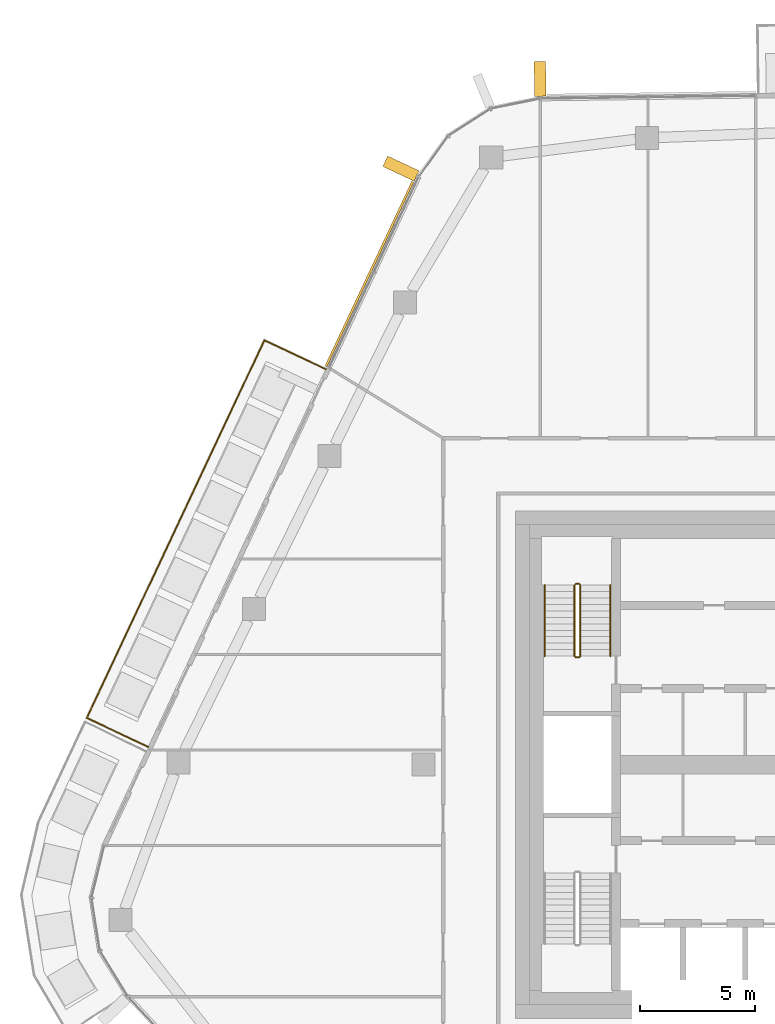
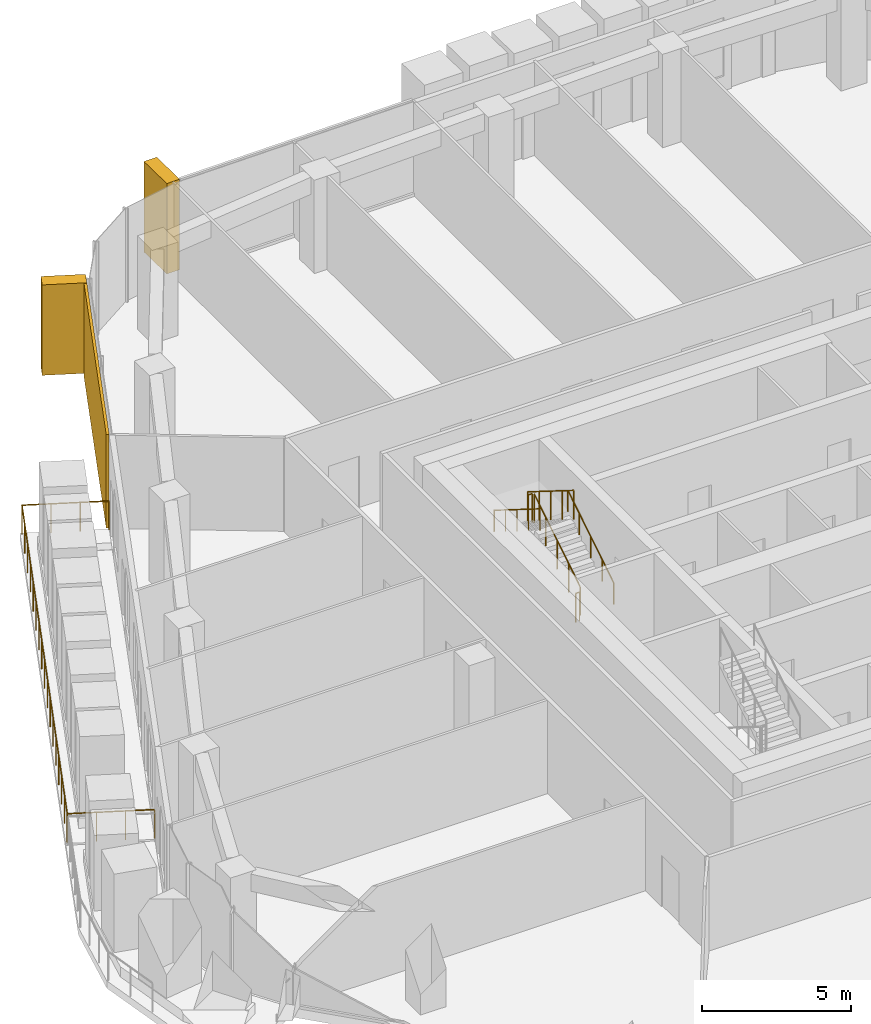
# One storey, part 21 of 23: 7 railings, 3 coverings, 2 elements without a shape of their own.
"""IFC4 building model written with IfcOpenShell, lengths in metres."""

from ifc_helpers import new_model, si_unit, direction, frame, origin, origin_2d, place, context, subcontext, project, spatial, rectangle, circle, extrude, material, layer, layer_set, material_profile, profile_set, type_object, element, aggregate, save


model = new_model("IFC4")

# Units and contexts
model_context = context("Model", 3, precision=1e-05, world=origin(), true_north=direction((0.0, 1.0)))
body_context = subcontext(model_context, "Body", "Model", "MODEL_VIEW")
ifc_project = project(units=[si_unit("LENGTHUNIT", "METRE"), si_unit("AREAUNIT", "SQUARE_METRE"), si_unit("VOLUMEUNIT", "CUBIC_METRE"), si_unit("PLANEANGLEUNIT", "RADIAN"), si_unit("MASSUNIT", "GRAM", prefix="KILO")], contexts=[model_context])

# Site, building, storey
site_placement = place(None, origin())
site = spatial("IfcSite", under=ifc_project, at=site_placement, CompositionType="ELEMENT")
building_placement = place(site_placement, origin())
building = spatial("IfcBuilding", under=site, at=building_placement, Name="Dongbaek Canopy Tower", CompositionType="ELEMENT")
storey_placement = place(building_placement, frame((0.0, 0.0, 336.199951171875)))
storey = spatial("IfcBuildingStorey", under=building, at=storey_placement, Name="L72", CompositionType="ELEMENT", Elevation=336.199951171875)

# Railing
ifc_material_1 = material(Name="Stainless steel", Category="steel")
railing_type_1 = type_object("IfcRailingType", Name="Balcony balustrade 1200", PredefinedType="BALUSTRADE", material=ifc_material_1)
railing_1_placement = place(storey_placement, frame((-22.236083984375, 17.13818359375, 0.0)))
element("IfcRailing", 1, at=railing_1_placement, inside=storey, type_object=railing_type_1, Name="Balcony guard L72 3", PredefinedType="BALUSTRADE", context=body_context, shape_type="SweptSolid", body=[
    extrude(circle(Radius=0.02392578125, at=origin_2d()), frame((0.0, 0.0, 1.17578125), z_axis=(-0.904961676256, 0.425493083973, 0.0), x_axis=(-0.425493083973, -0.904961676256, 0.0)), (0.0, 0.0, 1.0), 2.93994140625),
    extrude(circle(Radius=0.02392578125, at=origin_2d()), frame((-2.66064453125, 1.2509765625, 1.17578125), z_axis=(-0.425494781749, -0.904960877997, 0.0), x_axis=(0.904960877997, -0.425494781749, 0.0)), (0.0, 0.0, 1.0), 18.089599609375),
    extrude(circle(Radius=0.02392578125, at=origin_2d()), frame((-10.357666015625, -15.119384765625, 1.17578125), z_axis=(0.904961676256, -0.425493083973, 0.0), x_axis=(0.425493083973, 0.904961676256, 0.0)), (0.0, 0.0, 1.0), 2.93994140625),
    extrude(circle(Radius=0.02099609375, at=origin_2d()), origin(), (0.0, 0.0, 1.0), 1.15185546875),
    extrude(circle(Radius=0.02099609375, at=origin_2d()), frame((-0.886962890625, 0.4169921875, 0.0)), (0.0, 0.0, 1.0), 1.15185546875),
    extrude(circle(Radius=0.02099609375, at=origin_2d()), frame((-1.773681640625, 0.833984375, 0.0)), (0.0, 0.0, 1.0), 1.15185546875),
    extrude(circle(Radius=0.02099609375, at=origin_2d()), frame((-2.66064453125, 1.2509765625, 0.0)), (0.0, 0.0, 1.0), 1.15185546875),
    extrude(circle(Radius=0.02099609375, at=origin_2d()), frame((-3.1416015625, 0.227783203125, 0.0)), (0.0, 0.0, 1.0), 1.15185546875),
    extrude(circle(Radius=0.02099609375, at=origin_2d()), frame((-3.622802734375, -0.79541015625, 0.0)), (0.0, 0.0, 1.0), 1.15185546875),
    extrude(circle(Radius=0.02099609375, at=origin_2d()), frame((-4.103759765625, -1.818359375, 0.0)), (0.0, 0.0, 1.0), 1.15185546875),
    extrude(circle(Radius=0.02099609375, at=origin_2d()), frame((-4.5849609375, -2.841552734375, 0.0)), (0.0, 0.0, 1.0), 1.15185546875),
    extrude(circle(Radius=0.02099609375, at=origin_2d()), frame((-5.06591796875, -3.86474609375, 0.0)), (0.0, 0.0, 1.0), 1.15185546875),
    extrude(circle(Radius=0.02099609375, at=origin_2d()), frame((-5.547119140625, -4.887939453125, 0.0)), (0.0, 0.0, 1.0), 1.15185546875),
    extrude(circle(Radius=0.02099609375, at=origin_2d()), frame((-6.028076171875, -5.9111328125, 0.0)), (0.0, 0.0, 1.0), 1.15185546875),
    extrude(circle(Radius=0.02099609375, at=origin_2d()), frame((-6.50927734375, -6.93408203125, 0.0)), (0.0, 0.0, 1.0), 1.15185546875),
    extrude(circle(Radius=0.02099609375, at=origin_2d()), frame((-6.990234375, -7.957275390625, 0.0)), (0.0, 0.0, 1.0), 1.15185546875),
    extrude(circle(Radius=0.02099609375, at=origin_2d()), frame((-7.47119140625, -8.98046875, 0.0)), (0.0, 0.0, 1.0), 1.15185546875),
    extrude(circle(Radius=0.02099609375, at=origin_2d()), frame((-7.952392578125, -10.003662109375, 0.0)), (0.0, 0.0, 1.0), 1.15185546875),
    extrude(circle(Radius=0.02099609375, at=origin_2d()), frame((-8.433349609375, -11.02685546875, 0.0)), (0.0, 0.0, 1.0), 1.15185546875),
    extrude(circle(Radius=0.02099609375, at=origin_2d()), frame((-8.91455078125, -12.050048828125, 0.0)), (0.0, 0.0, 1.0), 1.15185546875),
    extrude(circle(Radius=0.02099609375, at=origin_2d()), frame((-9.3955078125, -13.072998046875, 0.0)), (0.0, 0.0, 1.0), 1.15185546875),
    extrude(circle(Radius=0.02099609375, at=origin_2d()), frame((-9.876708984375, -14.09619140625, 0.0)), (0.0, 0.0, 1.0), 1.15185546875),
    extrude(circle(Radius=0.02099609375, at=origin_2d()), frame((-10.357666015625, -15.119384765625, 0.0)), (0.0, 0.0, 1.0), 1.15185546875),
    extrude(circle(Radius=0.02099609375, at=origin_2d()), frame((-9.470703125, -15.536376953125, 0.0)), (0.0, 0.0, 1.0), 1.15185546875),
    extrude(circle(Radius=0.02099609375, at=origin_2d()), frame((-8.583984375, -15.953369140625, 0.0)), (0.0, 0.0, 1.0), 1.15185546875),
    extrude(circle(Radius=0.02099609375, at=origin_2d()), frame((-7.697021484375, -16.370361328125, 0.0)), (0.0, 0.0, 1.0), 1.15185546875),
])

# Curtain wall, covering
ifc_material_2 = material(Name="Aluminium 6063-T6 pale anodised", Category="aluminium")
ifc_layer_1 = layer(ifc_material_2, 0.199951171875)
ifc_layer_set_1 = layer_set([ifc_layer_1], Name="CW-1 unitised tower curtain wall")
curtain_wall_type = type_object("IfcCurtainWallType", Name="CW-1 unitised tower curtain wall", PredefinedType="NOTDEFINED", material=ifc_layer_set_1)
curtain_wall_1_placement = place(storey_placement, origin())
curtain_wall_1 = element("IfcCurtainWall", 2, at=curtain_wall_1_placement, inside=storey, type_object=curtain_wall_type, Name="CW-1 curtain wall F2.1", PredefinedType="NOTDEFINED")
ifc_material_3 = material(Name="Perforated aluminium 6063-T6 pale metal screen", Category="aluminium")
ifc_layer_2 = layer(ifc_material_3, 0.10009765625)
ifc_layer_set_2 = layer_set([ifc_layer_2], Name="Facet screen FS1 100 pale metal")
covering_type_1 = type_object("IfcCoveringType", Name="Facet screen FS1 100 pale metal", PredefinedType="CLADDING", material=ifc_layer_set_2)
covering_1_placement = place(storey_placement, frame((-20.346923828125, 21.26416015625, 0.0), z_axis=(0.0, 0.0, 1.0), x_axis=(-0.425499749114, -0.904958542423, 0.0)))
covering_1 = element("IfcCovering", 3, at=covering_1_placement, type_object=covering_type_1, Name="Facet screen L72 F2", PredefinedType="CLADDING", context=body_context, shape_type="SweptSolid", body=[
    extrude(rectangle(XDim=8.85546875, YDim=0.10009765625, at=origin_2d()), origin(), (0.0, 0.0, 1.0), 3.820068359375),
])

curtain_wall_2_placement = place(storey_placement, origin())
curtain_wall_2 = element("IfcCurtainWall", 4, at=curtain_wall_2_placement, inside=storey, type_object=curtain_wall_type, Name="CW-1 curtain wall F1.1", PredefinedType="NOTDEFINED")
ifc_material_4 = material(Name="Aluminium 6063-T6 pale metal fin", Category="aluminium")
ifc_material_profile = material_profile(ifc_material_4, rectangle(XDim=1.5, YDim=0.5, at=origin_2d()), Name="Fin FN1 500 x 1500 pale metal")
ifc_profile_set = profile_set([ifc_material_profile], Name="Aluminium 6063-T6 pale metal fin")
covering_type_2 = type_object("IfcCoveringType", Name="Fin FN1 500 x 1500 pale metal", PredefinedType="CLADDING", material=ifc_profile_set)
covering_2_placement = place(storey_placement, frame((-12.943603515625, 29.718994140625, 0.1201171875), z_axis=(0.0, 0.0, 1.0), x_axis=(-0.013165315653, 0.999913333476, 0.0)))
covering_2 = element("IfcCovering", 5, at=covering_2_placement, type_object=covering_type_2, Name="Fin F1.1.3", PredefinedType="CLADDING", context=body_context, shape_type="SweptSolid", body=[
    extrude(rectangle(XDim=1.5, YDim=0.5, at=origin_2d()), origin(), (0.0, 0.0, 1.0), 3.699951171875),
])
aggregate(curtain_wall_2, [covering_2])

# Covering
covering_3_placement = place(storey_placement, frame((-18.9765625, 25.8330078125, 0.1201171875), z_axis=(0.0, 0.0, 1.0), x_axis=(-0.90495825448, 0.425500361514, 0.0)))
covering_3 = element("IfcCovering", 6, at=covering_3_placement, type_object=covering_type_2, Name="Fin F2.1.1", PredefinedType="CLADDING", context=body_context, shape_type="SweptSolid", body=[
    extrude(rectangle(XDim=1.5, YDim=0.5, at=origin_2d()), origin(), (0.0, 0.0, 1.0), 3.699951171875),
])

aggregate(curtain_wall_1, [covering_3, covering_1])

# Railings
ifc_material_5 = material(Name="Stainless steel tube and balusters", Category="steel")
railing_type_2 = type_object("IfcRailingType", Name="Stair guard 1200", PredefinedType="GUARDRAIL", material=ifc_material_5)
railing_2_placement = place(storey_placement, frame((-11.199951171875, 4.699951171875, 0.175048828125)))
element("IfcRailing", 7, at=railing_2_placement, inside=storey, type_object=railing_type_2, Name="L72 ST-C stair guard 1", PredefinedType="GUARDRAIL", context=body_context, shape_type="SweptSolid", body=[
    extrude(circle(Radius=0.02392578125, at=origin_2d()), frame((0.0, 0.0, 1.17578125), z_axis=(0.0, 0.847998304005, 0.529998940003), x_axis=(-1.0, 0.0, 0.0)), (0.0, 0.0, 1.0), 3.632080078125),
    extrude(circle(Radius=0.02099609375, at=origin_2d()), origin(), (0.0, 0.0, 1.0), 1.15185546875),
    extrude(circle(Radius=0.02099609375, at=origin_2d()), frame((0.0, 0.77001953125, 0.481201171875)), (0.0, 0.0, 1.0), 1.15185546875),
    extrude(circle(Radius=0.02099609375, at=origin_2d()), frame((0.0, 1.5400390625, 0.96240234375)), (0.0, 0.0, 1.0), 1.15185546875),
    extrude(circle(Radius=0.02099609375, at=origin_2d()), frame((0.0, 2.31005859375, 1.44384765625)), (0.0, 0.0, 1.0), 1.15185546875),
    extrude(circle(Radius=0.02099609375, at=origin_2d()), frame((0.0, 3.080078125, 1.925048828125)), (0.0, 0.0, 1.0), 1.15185546875),
])
railing_3_placement = place(storey_placement, frame((-11.25, 7.830078125, 2.10009765625)))
element("IfcRailing", 8, at=railing_3_placement, inside=storey, type_object=railing_type_2, Name="L72 ST-C stair guard 2", PredefinedType="GUARDRAIL", context=body_context, shape_type="SweptSolid", body=[
    extrude(circle(Radius=0.02392578125, at=origin_2d()), frame((0.0, 0.0, 1.17578125), z_axis=(-1.0, 0.0, 0.0), x_axis=(0.0, -1.0, 0.0)), (0.0, 0.0, 1.0), 0.14990234375),
    extrude(circle(Radius=0.02099609375, at=origin_2d()), origin(), (0.0, 0.0, 1.0), 1.15185546875),
    extrude(circle(Radius=0.02099609375, at=origin_2d()), frame((-0.14990234375, 0.0, 0.0)), (0.0, 0.0, 1.0), 1.15185546875),
])
railing_4_placement = place(storey_placement, frame((-11.449951171875, 7.780029296875, 2.275146484375)))
element("IfcRailing", 9, at=railing_4_placement, inside=storey, type_object=railing_type_2, Name="L72 ST-C stair guard 3", PredefinedType="GUARDRAIL", context=body_context, shape_type="SweptSolid", body=[
    extrude(circle(Radius=0.02392578125, at=origin_2d()), frame((0.0, 0.0, 1.17578125), z_axis=(0.0, -0.848028513186, 0.529950602248), x_axis=(1.0, 0.0, 0.0)), (0.0, 0.0, 1.0), 3.632080078125),
    extrude(circle(Radius=0.02099609375, at=origin_2d()), origin(), (0.0, 0.0, 1.0), 1.15185546875),
    extrude(circle(Radius=0.02099609375, at=origin_2d()), frame((0.0, -0.77001953125, 0.481201171875)), (0.0, 0.0, 1.0), 1.15185546875),
    extrude(circle(Radius=0.02099609375, at=origin_2d()), frame((0.0, -1.5400390625, 0.96240234375)), (0.0, 0.0, 1.0), 1.15185546875),
    extrude(circle(Radius=0.02099609375, at=origin_2d()), frame((0.0, -2.31005859375, 1.443603515625)), (0.0, 0.0, 1.0), 1.15185546875),
    extrude(circle(Radius=0.02099609375, at=origin_2d()), frame((0.0, -3.080078125, 1.9248046875)), (0.0, 0.0, 1.0), 1.15185546875),
])
railing_5_placement = place(storey_placement, frame((-11.25, 4.64990234375, 0.0)))
element("IfcRailing", 10, at=railing_5_placement, inside=storey, type_object=railing_type_2, Name="L72 ST-C stair guard 4", PredefinedType="GUARDRAIL", context=body_context, shape_type="SweptSolid", body=[
    extrude(circle(Radius=0.02392578125, at=origin_2d()), frame((0.0, 0.0, 1.17578125), z_axis=(-1.0, 0.0, 0.0), x_axis=(0.0, -1.0, 0.0)), (0.0, 0.0, 1.0), 0.14990234375),
    extrude(circle(Radius=0.02099609375, at=origin_2d()), origin(), (0.0, 0.0, 1.0), 1.15185546875),
    extrude(circle(Radius=0.02099609375, at=origin_2d()), frame((-0.14990234375, 0.0, 0.0)), (0.0, 0.0, 1.0), 1.15185546875),
])
ifc_material_6 = material(Name="Stainless steel tube", Category="steel")
railing_type_3 = type_object("IfcRailingType", Name="Stair handrail 900", PredefinedType="HANDRAIL", material=ifc_material_6)
railing_6_placement = place(storey_placement, frame((-9.89990234375, 4.699951171875, 0.175048828125)))
element("IfcRailing", 11, at=railing_6_placement, inside=storey, type_object=railing_type_3, Name="L72 ST-C stair handrail 1", PredefinedType="HANDRAIL", context=body_context, shape_type="SweptSolid", body=[
    extrude(circle(Radius=0.02392578125, at=origin_2d()), frame((0.0, 0.0, 0.8759765625), z_axis=(0.0, 0.847998304005, 0.529998940003), x_axis=(-1.0, 0.0, 0.0)), (0.0, 0.0, 1.0), 3.632080078125),
    extrude(circle(Radius=0.02099609375, at=origin_2d()), origin(), (0.0, 0.0, 1.0), 0.851806640625),
    extrude(circle(Radius=0.02099609375, at=origin_2d()), frame((0.0, 0.77001953125, 0.481201171875)), (0.0, 0.0, 1.0), 0.851806640625),
    extrude(circle(Radius=0.02099609375, at=origin_2d()), frame((0.0, 1.5400390625, 0.96240234375)), (0.0, 0.0, 1.0), 0.851806640625),
    extrude(circle(Radius=0.02099609375, at=origin_2d()), frame((0.0, 2.31005859375, 1.44384765625)), (0.0, 0.0, 1.0), 0.851806640625),
    extrude(circle(Radius=0.02099609375, at=origin_2d()), frame((0.0, 3.080078125, 1.925048828125)), (0.0, 0.0, 1.0), 0.851806640625),
])
railing_7_placement = place(storey_placement, frame((-12.75, 7.780029296875, 2.275146484375)))
element("IfcRailing", 12, at=railing_7_placement, inside=storey, type_object=railing_type_3, Name="L72 ST-C stair handrail 2", PredefinedType="HANDRAIL", context=body_context, shape_type="SweptSolid", body=[
    extrude(circle(Radius=0.02392578125, at=origin_2d()), frame((0.0, 0.0, 0.8759765625), z_axis=(0.0, -0.848028513186, 0.529950602248), x_axis=(1.0, 0.0, 0.0)), (0.0, 0.0, 1.0), 3.632080078125),
    extrude(circle(Radius=0.02099609375, at=origin_2d()), origin(), (0.0, 0.0, 1.0), 0.851806640625),
    extrude(circle(Radius=0.02099609375, at=origin_2d()), frame((0.0, -0.77001953125, 0.481201171875)), (0.0, 0.0, 1.0), 0.851806640625),
    extrude(circle(Radius=0.02099609375, at=origin_2d()), frame((0.0, -1.5400390625, 0.96240234375)), (0.0, 0.0, 1.0), 0.851806640625),
    extrude(circle(Radius=0.02099609375, at=origin_2d()), frame((0.0, -2.31005859375, 1.443603515625)), (0.0, 0.0, 1.0), 0.851806640625),
    extrude(circle(Radius=0.02099609375, at=origin_2d()), frame((0.0, -3.080078125, 1.9248046875)), (0.0, 0.0, 1.0), 0.851806640625),
])

save(model, "model.ifc")
